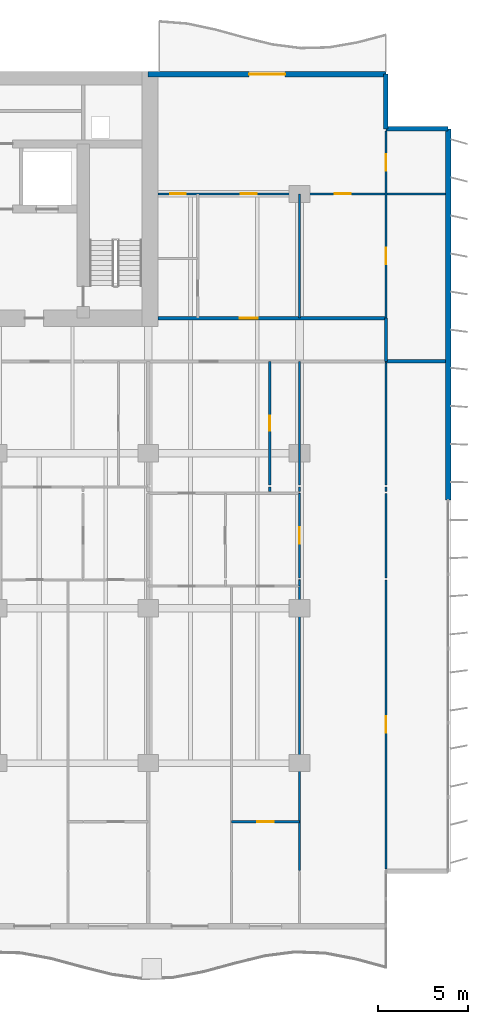
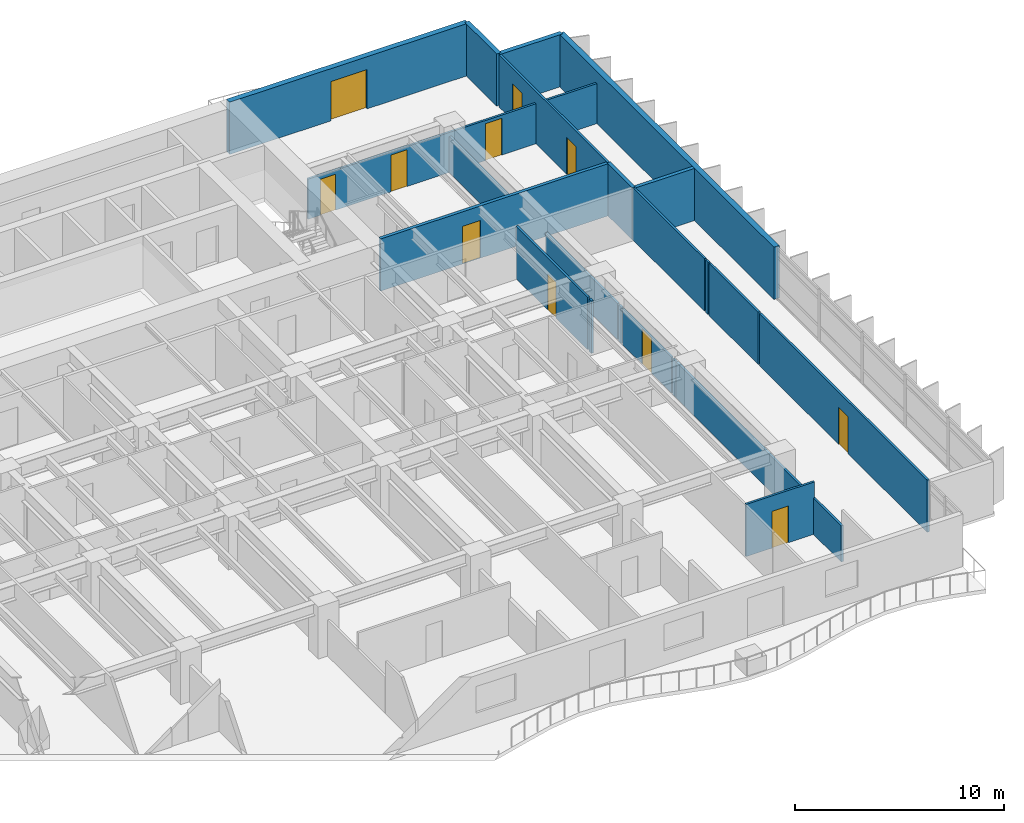
# One storey, part 12 of 17: 22 walls, 11 doors, 11 openings.
"""IFC4 building model written with IfcOpenShell, lengths in metres."""

from ifc_helpers import new_model, si_unit, direction, frame, frame_2d, origin, place, context, subcontext, project, spatial, rectangle, extrude, material, layer, layer_set, type_object, element, fill, save


model = new_model("IFC4")

# Units and contexts
model_context = context("Model", 3, precision=1e-05, world=origin(), true_north=direction((0.0, 1.0)))
body_context = subcontext(model_context, "Body", "Model", "MODEL_VIEW")
ifc_project = project(units=[si_unit("LENGTHUNIT", "METRE"), si_unit("AREAUNIT", "SQUARE_METRE"), si_unit("VOLUMEUNIT", "CUBIC_METRE"), si_unit("PLANEANGLEUNIT", "RADIAN"), si_unit("MASSUNIT", "GRAM", prefix="KILO")], contexts=[model_context])

# Site, building, storey
site_placement = place(None, origin())
site = spatial("IfcSite", under=ifc_project, at=site_placement, CompositionType="ELEMENT")
building_placement = place(site_placement, origin())
building = spatial("IfcBuilding", under=site, at=building_placement, Name="Caelmar Bay Residences", CompositionType="ELEMENT")
storey_placement = place(building_placement, frame((0.0, 0.0, 30.0)))
storey = spatial("IfcBuildingStorey", under=building, at=storey_placement, Name="L06", CompositionType="ELEMENT", Elevation=30.0)

# Wall
ifc_material_1 = material(Name="Double-stud acoustic fire-rated gypsum partition 180 mm")
ifc_layer_1 = layer(ifc_material_1, 0.179931640625)
ifc_layer_set_1 = layer_set([ifc_layer_1], Name="Double-stud acoustic fire-rated gypsum partition 180 mm")
wall_type_1 = type_object("IfcWallType", Name="W-COR-200", PredefinedType="PARTITIONING", material=ifc_layer_set_1)
wall_1_placement = place(storey_placement, frame((72.699951171875, 34.5048828125, 0.0), z_axis=(0.0, 0.0, 1.0), x_axis=(0.0, 1.0, 0.0)))
element("IfcWall", 1, at=wall_1_placement, inside=storey, type_object=wall_type_1, Name="L06 Partition Wall V098", PredefinedType="PARTITIONING", context=body_context, shape_type="SweptSolid", body=[
    extrude(rectangle(XDim=2.39501953125, YDim=0.179931640625, at=frame_2d((1.197509765625, 0.0))), origin(), (0.0, 0.0, 1.0), 3.050048828125),
])

# Wall, opening, door
wall_2_placement = place(storey_placement, frame((60.054931640625, 36.89990234375, 0.0), z_axis=(0.0, 0.0, 1.0), x_axis=(1.0, 0.0, 0.0)))
wall_2 = element("IfcWall", 2, at=wall_2_placement, inside=storey, type_object=wall_type_1, Name="L06 Partition Wall H128", PredefinedType="PARTITIONING", context=body_context, shape_type="SweptSolid", body=[
    extrude(rectangle(XDim=12.64501953125, YDim=0.179931640625, at=frame_2d((6.322509765625, 0.0))), origin(), (0.0, 0.0, 1.0), 3.050048828125),
])
opening_1_placement = place(wall_2_placement, frame((4.52001953125, 0.0, 0.0)))
opening_1 = element("IfcOpeningElement", 3, at=opening_1_placement, cuts=wall_2, Name="Opening D-L06-175", PredefinedType="OPENING", context=body_context, shape_type="SweptSolid", body=[
    extrude(rectangle(XDim=1.0, YDim=2.199951171875, at=frame_2d((0.5, 1.10009765625))), frame((0.0, 0.099853515625, 0.0), z_axis=(0.0, -1.0, 0.0), x_axis=(1.0, 0.0, 0.0)), (0.0, 0.0, 1.0), 0.199951171875),
])
ifc_material_2 = material(Name="Fire-rated steel and walnut architectural door assembly", Category="steel")
ifc_layer_2 = layer(ifc_material_2, 0.050048828125)
ifc_layer_set_2 = layer_set([ifc_layer_2], Name="Fire-rated steel and walnut architectural door assembly")
door_type_1 = type_object("IfcDoorType", Name="D-UNIT-1000", OperationType="NOTDEFINED", PredefinedType="DOOR", material=ifc_layer_set_2)
door_1_placement = place(opening_1_placement, origin())
door_1 = element("IfcDoor", 4, at=door_1_placement, inside=storey, type_object=door_type_1, Name="L06 Residence EA Kitchen Door", OperationType="SINGLE_SWING_LEFT", OverallHeight=2.199951171875, OverallWidth=1.0, PredefinedType="DOOR", context=body_context, shape_type="SweptSolid", body=[
    extrude(rectangle(XDim=1.0, YDim=2.199951171875, at=frame_2d((0.5, 1.10009765625))), frame((0.0, 0.02490234375, 0.0), z_axis=(0.0, -1.0, 0.0), x_axis=(1.0, 0.0, 0.0)), (0.0, 0.0, 1.0), 0.050048828125),
])
fill(opening_1, door_1)

# Walls
ifc_material_3 = material(Name="Precast concrete f'c 40 MPa (6,000 psi)", Category="concrete")
ifc_layer_3 = layer(ifc_material_3, 0.25)
ifc_layer_set_3 = layer_set([ifc_layer_3], Name="Precast concrete f'c 40 MPa (6,000 psi)")
wall_type_2 = type_object("IfcWallType", Name="W-EXT-250", PredefinedType="ELEMENTEDWALL", material=ifc_layer_set_3)
wall_3_placement = place(storey_placement, frame((72.699951171875, 50.449951171875, 0.0), z_axis=(0.0, 0.0, 1.0), x_axis=(0.0, -1.0, 0.0)))
element("IfcWall", 5, at=wall_3_placement, inside=storey, type_object=wall_type_2, Name="L06 NNE-V Notch Wall", PredefinedType="ELEMENTEDWALL", context=body_context, shape_type="SweptSolid", body=[
    extrude(rectangle(XDim=3.050048828125, YDim=0.25, at=frame_2d((1.52490234375, 0.0))), origin(), (0.0, 0.0, 1.0), 3.050048828125),
])
wall_4_placement = place(storey_placement, frame((72.699951171875, 47.39990234375, 0.0), z_axis=(0.0, 0.0, 1.0), x_axis=(1.0, 0.0, 0.0)))
element("IfcWall", 6, at=wall_4_placement, inside=storey, type_object=wall_type_2, Name="L06 NNE-H Notch Wall", PredefinedType="ELEMENTEDWALL", context=body_context, shape_type="SweptSolid", body=[
    extrude(rectangle(XDim=3.449951171875, YDim=0.25, at=frame_2d((1.72509765625, 0.0))), origin(), (0.0, 0.0, 1.0), 3.050048828125),
])
ifc_layer_4 = layer(ifc_material_3, 0.300048828125)
ifc_layer_set_4 = layer_set([ifc_layer_4], Name="Precast concrete f'c 40 MPa (6,000 psi)")
wall_type_3 = type_object("IfcWallType", Name="W-EXT-300", PredefinedType="STANDARD", material=ifc_layer_set_4)
wall_5_placement = place(storey_placement, frame((76.14990234375, 47.39990234375, 0.0), z_axis=(0.0, 0.0, 1.0), x_axis=(0.0, -1.0, 0.0)))
element("IfcWall", 7, at=wall_5_placement, inside=storey, type_object=wall_type_3, Name="L06 East Rear Exterior Wall", PredefinedType="STANDARD", context=body_context, shape_type="SweptSolid", body=[
    extrude(rectangle(XDim=20.599853515625, YDim=0.300048828125, at=frame_2d((10.2998046875, 0.0))), origin(), (0.0, 0.0, 1.0), 3.050048828125),
])

# Wall, opening, door
wall_6_placement = place(storey_placement, frame((59.5, 50.449951171875, 0.0), z_axis=(0.0, 0.0, 1.0), x_axis=(1.0, 0.0, 0.0)))
wall_6 = element("IfcWall", 8, at=wall_6_placement, inside=storey, type_object=wall_type_3, Name="L06 North-East Wing Exterior Wall", PredefinedType="STANDARD", context=body_context, shape_type="SweptSolid", body=[
    extrude(rectangle(XDim=13.199951171875, YDim=0.300048828125, at=frame_2d((6.60009765625, 0.0))), origin(), (0.0, 0.0, 1.0), 3.050048828125),
])
opening_2_placement = place(wall_6_placement, frame((5.60009765625, 0.0, 0.0)))
opening_2 = element("IfcOpeningElement", 9, at=opening_2_placement, cuts=wall_6, Name="Opening L06-BDNE", PredefinedType="OPENING", context=body_context, shape_type="SweptSolid", body=[
    extrude(rectangle(XDim=2.0, YDim=2.300048828125, at=frame_2d((1.0, 1.14990234375))), frame((0.0, 0.159912109375, 0.0), z_axis=(0.0, -1.0, 0.0), x_axis=(1.0, 0.0, 0.0)), (0.0, 0.0, 1.0), 0.320068359375),
])
ifc_material_4 = material(Name="Anodised bronze thermally broken sliding glass door", Category="glass")
ifc_layer_5 = layer(ifc_material_4, 0.050048828125)
ifc_layer_set_5 = layer_set([ifc_layer_5], Name="Anodised bronze thermally broken sliding glass door")
door_type_2 = type_object("IfcDoorType", Name="D-BAL-2000", OperationType="DOUBLE_DOOR_SLIDING", PredefinedType="DOOR", material=ifc_layer_set_5)
door_2_placement = place(opening_2_placement, origin())
door_2 = element("IfcDoor", 10, at=door_2_placement, inside=storey, type_object=door_type_2, Name="L06 North-East Balcony Door", OperationType="DOUBLE_DOOR_SLIDING", OverallHeight=2.300048828125, OverallWidth=2.0, PredefinedType="DOOR", context=body_context, shape_type="SweptSolid", body=[
    extrude(rectangle(XDim=2.0, YDim=2.300048828125, at=frame_2d((1.0, 1.14990234375))), frame((0.0, 0.02490234375, 0.0), z_axis=(0.0, -1.0, 0.0), x_axis=(1.0, 0.0, 0.0)), (0.0, 0.0, 1.0), 0.050048828125),
])
fill(opening_2, door_2)

# Wall
ifc_material_5 = material(Name="Anodised bronze framed acoustic sliding study partition 100 mm")
ifc_layer_6 = layer(ifc_material_5, 0.10009765625)
ifc_layer_set_6 = layer_set([ifc_layer_6], Name="Anodised bronze framed acoustic sliding study partition 100 mm")
wall_type_4 = type_object("IfcWallType", Name="W-MOV-100", PredefinedType="MOVABLE", material=ifc_layer_set_6)
wall_7_placement = place(storey_placement, frame((67.89990234375, 22.034912109375, 0.0), z_axis=(0.0, 0.0, 1.0), x_axis=(0.0, 1.0, 0.0)))
element("IfcWall", 11, at=wall_7_placement, inside=storey, type_object=wall_type_4, Name="L06 Partition Wall V089", PredefinedType="MOVABLE", context=body_context, shape_type="SweptSolid", body=[
    extrude(rectangle(XDim=0.335205078125, YDim=0.10009765625, at=frame_2d((0.16748046875, 0.0))), origin(), (0.0, 0.0, 1.0), 2.110107421875),
])

# Wall, opening, door
wall_8_placement = place(storey_placement, frame((67.89990234375, 22.489990234375, 0.0), z_axis=(0.0, 0.0, 1.0), x_axis=(0.0, 1.0, 0.0)))
wall_8 = element("IfcWall", 12, at=wall_8_placement, inside=storey, type_object=wall_type_4, Name="L06 Partition Wall V090", PredefinedType="MOVABLE", context=body_context, shape_type="SweptSolid", body=[
    extrude(rectangle(XDim=4.68994140625, YDim=0.10009765625, at=frame_2d((2.344970703125, 0.0))), origin(), (0.0, 0.0, 1.0), 2.110107421875),
])
opening_3_placement = place(wall_8_placement, frame((1.89501953125, 0.0, 0.0)))
opening_3 = element("IfcOpeningElement", 13, at=opening_3_placement, cuts=wall_8, Name="Opening D-L06-164", PredefinedType="OPENING", context=body_context, shape_type="SweptSolid", body=[
    extrude(rectangle(XDim=0.89990234375, YDim=2.06005859375, at=frame_2d((0.449951171875, 1.030029296875))), frame((0.0, 0.06005859375, 0.0), z_axis=(0.0, -1.0, 0.0), x_axis=(1.0, 0.0, 0.0)), (0.0, 0.0, 1.0), 0.1201171875),
])
ifc_material_6 = material(Name="Solid walnut timber interior door leaf and frame", Category="wood")
ifc_layer_7 = layer(ifc_material_6, 0.050048828125)
ifc_layer_set_7 = layer_set([ifc_layer_7], Name="Solid walnut timber interior door leaf and frame")
door_type_3 = type_object("IfcDoorType", Name="D-ROOM-900", OperationType="NOTDEFINED", PredefinedType="DOOR", material=ifc_layer_set_7)
door_3_placement = place(opening_3_placement, origin())
door_3 = element("IfcDoor", 14, at=door_3_placement, inside=storey, type_object=door_type_3, Name="L06 Residence 06 East Apartment Hall Door", OperationType="SINGLE_SWING_RIGHT", OverallHeight=2.06005859375, OverallWidth=0.89990234375, PredefinedType="DOOR", context=body_context, shape_type="SweptSolid", body=[
    extrude(rectangle(XDim=0.89990234375, YDim=2.06005859375, at=frame_2d((0.449951171875, 1.030029296875))), frame((0.0, 0.02490234375, 0.0), z_axis=(0.0, -1.0, 0.0), x_axis=(1.0, 0.0, 0.0)), (0.0, 0.0, 1.0), 0.050048828125),
])
fill(opening_3, door_3)

# Wall
ifc_material_7 = material(Name="Acoustic metal-stud gypsum partition 120 mm")
ifc_layer_8 = layer(ifc_material_7, 0.1201171875)
ifc_layer_set_8 = layer_set([ifc_layer_8], Name="Acoustic metal-stud gypsum partition 120 mm")
wall_type_5 = type_object("IfcWallType", Name="W-PRT-120", PredefinedType="PARTITIONING", material=ifc_layer_set_8)
wall_9_placement = place(storey_placement, frame((66.25, 27.280029296875, 0.0), z_axis=(0.0, 0.0, 1.0), x_axis=(0.0, 1.0, 0.0)))
element("IfcWall", 15, at=wall_9_placement, inside=storey, type_object=wall_type_5, Name="L06 Partition Wall V085", PredefinedType="PARTITIONING", context=body_context, shape_type="SweptSolid", body=[
    extrude(rectangle(XDim=0.239990234375, YDim=0.1201171875, at=frame_2d((0.1201171875, 0.0))), origin(), (0.0, 0.0, 1.0), 3.050048828125),
])

# Wall, opening, door
wall_10_placement = place(storey_placement, frame((66.25, 27.639892578125, 0.0), z_axis=(0.0, 0.0, 1.0), x_axis=(0.0, 1.0, 0.0)))
wall_10 = element("IfcWall", 16, at=wall_10_placement, inside=storey, type_object=wall_type_5, Name="L06 Partition Wall V086", PredefinedType="PARTITIONING", context=body_context, shape_type="SweptSolid", body=[
    extrude(rectangle(XDim=6.860107421875, YDim=0.1201171875, at=frame_2d((3.43017578125, 0.0))), origin(), (0.0, 0.0, 1.0), 3.050048828125),
])
opening_4_placement = place(wall_10_placement, frame((3.0048828125, 0.0, 0.0)))
opening_4 = element("IfcOpeningElement", 17, at=opening_4_placement, cuts=wall_10, Name="Opening D-L06-158", PredefinedType="OPENING", context=body_context, shape_type="SweptSolid", body=[
    extrude(rectangle(XDim=0.85009765625, YDim=2.10009765625, at=frame_2d((0.425048828125, 1.050048828125))), frame((0.0, 0.070068359375, 0.0), z_axis=(0.0, -1.0, 0.0), x_axis=(1.0, 0.0, 0.0)), (0.0, 0.0, 1.0), 0.14013671875),
])
ifc_layer_9 = layer(ifc_material_6, 0.050048828125)
ifc_layer_set_9 = layer_set([ifc_layer_9], Name="Solid walnut timber interior door leaf and frame")
door_type_4 = type_object("IfcDoorType", Name="D-BATH-850", OperationType="NOTDEFINED", PredefinedType="DOOR", material=ifc_layer_set_9)
door_4_placement = place(opening_4_placement, origin())
door_4 = element("IfcDoor", 18, at=door_4_placement, inside=storey, type_object=door_type_4, Name="L06 Residence 06 Bathroom Door", OperationType="SINGLE_SWING_RIGHT", OverallHeight=2.10009765625, OverallWidth=0.85009765625, PredefinedType="DOOR", context=body_context, shape_type="SweptSolid", body=[
    extrude(rectangle(XDim=0.85009765625, YDim=2.10009765625, at=frame_2d((0.425048828125, 1.050048828125))), frame((0.0, 0.02490234375, 0.0), z_axis=(0.0, -1.0, 0.0), x_axis=(1.0, 0.0, 0.0)), (0.0, 0.0, 1.0), 0.050048828125),
])
fill(opening_4, door_4)

# Walls
wall_11_placement = place(storey_placement, frame((67.89990234375, 6.239990234375, 0.0), z_axis=(0.0, 0.0, 1.0), x_axis=(0.0, 1.0, 0.0)))
element("IfcWall", 19, at=wall_11_placement, inside=storey, type_object=wall_type_5, Name="L06 Partition Wall V088", PredefinedType="PARTITIONING", context=body_context, shape_type="SweptSolid", body=[
    extrude(rectangle(XDim=15.7900390625, YDim=0.1201171875, at=frame_2d((7.89501953125, 0.0))), origin(), (0.0, 0.0, 1.0), 2.110107421875),
])
wall_12_placement = place(storey_placement, frame((67.89990234375, 27.280029296875, 0.0), z_axis=(0.0, 0.0, 1.0), x_axis=(0.0, 1.0, 0.0)))
element("IfcWall", 20, at=wall_12_placement, inside=storey, type_object=wall_type_5, Name="L06 Partition Wall V091", PredefinedType="PARTITIONING", context=body_context, shape_type="SweptSolid", body=[
    extrude(rectangle(XDim=0.239990234375, YDim=0.1201171875, at=frame_2d((0.1201171875, 0.0))), origin(), (0.0, 0.0, 1.0), 2.110107421875),
])
wall_13_placement = place(storey_placement, frame((67.89990234375, 27.639892578125, 0.0), z_axis=(0.0, 0.0, 1.0), x_axis=(0.0, 1.0, 0.0)))
element("IfcWall", 21, at=wall_13_placement, inside=storey, type_object=wall_type_5, Name="L06 Partition Wall V092", PredefinedType="PARTITIONING", context=body_context, shape_type="SweptSolid", body=[
    extrude(rectangle(XDim=6.860107421875, YDim=0.1201171875, at=frame_2d((3.43017578125, 0.0))), origin(), (0.0, 0.0, 1.0), 2.110107421875),
])
wall_14_placement = place(storey_placement, frame((67.89990234375, 36.89990234375, 0.0), z_axis=(0.0, 0.0, 1.0), x_axis=(0.0, 1.0, 0.0)))
element("IfcWall", 22, at=wall_14_placement, inside=storey, type_object=wall_type_5, Name="L06 Partition Wall V093", PredefinedType="PARTITIONING", context=body_context, shape_type="SweptSolid", body=[
    extrude(rectangle(XDim=6.900146484375, YDim=0.1201171875, at=frame_2d((3.4501953125, 0.0))), origin(), (0.0, 0.0, 1.0), 2.110107421875),
])

# Wall, opening, door
wall_15_placement = place(storey_placement, frame((72.699951171875, 6.320068359375, 0.0), z_axis=(0.0, 0.0, 1.0), x_axis=(0.0, 1.0, 0.0)))
wall_15 = element("IfcWall", 23, at=wall_15_placement, inside=storey, type_object=wall_type_5, Name="L06 Partition Wall V094", PredefinedType="PARTITIONING", context=body_context, shape_type="SweptSolid", body=[
    extrude(rectangle(XDim=16.050048828125, YDim=0.1201171875, at=frame_2d((8.02490234375, 0.0))), origin(), (0.0, 0.0, 1.0), 3.050048828125),
])
opening_5_placement = place(wall_15_placement, frame((7.574951171875, 0.0, 0.0)))
opening_5 = element("IfcOpeningElement", 24, at=opening_5_placement, cuts=wall_15, Name="Opening D-L06-166", PredefinedType="OPENING", context=body_context, shape_type="SweptSolid", body=[
    extrude(rectangle(XDim=0.89990234375, YDim=2.14990234375, at=frame_2d((0.449951171875, 1.074951171875))), frame((0.0, 0.070068359375, 0.0), z_axis=(0.0, -1.0, 0.0), x_axis=(1.0, 0.0, 0.0)), (0.0, 0.0, 1.0), 0.14013671875),
])
door_5_placement = place(opening_5_placement, origin())
door_5 = element("IfcDoor", 25, at=door_5_placement, inside=storey, type_object=door_type_3, Name="L06 Residence 06 Penthouse East Salon Door", OperationType="SINGLE_SWING_RIGHT", OverallHeight=2.14990234375, OverallWidth=0.89990234375, PredefinedType="DOOR", context=body_context, shape_type="SweptSolid", body=[
    extrude(rectangle(XDim=0.89990234375, YDim=2.14990234375, at=frame_2d((0.449951171875, 1.074951171875))), frame((0.0, 0.02490234375, 0.0), z_axis=(0.0, -1.0, 0.0), x_axis=(1.0, 0.0, 0.0)), (0.0, 0.0, 1.0), 0.050048828125),
])
fill(opening_5, door_5)

# Walls
wall_16_placement = place(storey_placement, frame((72.699951171875, 22.489990234375, 0.0), z_axis=(0.0, 0.0, 1.0), x_axis=(0.0, 1.0, 0.0)))
element("IfcWall", 26, at=wall_16_placement, inside=storey, type_object=wall_type_5, Name="L06 Partition Wall V095", PredefinedType="PARTITIONING", context=body_context, shape_type="SweptSolid", body=[
    extrude(rectangle(XDim=4.68994140625, YDim=0.1201171875, at=frame_2d((2.344970703125, 0.0))), origin(), (0.0, 0.0, 1.0), 3.050048828125),
])
wall_17_placement = place(storey_placement, frame((72.699951171875, 27.280029296875, 0.0), z_axis=(0.0, 0.0, 1.0), x_axis=(0.0, 1.0, 0.0)))
element("IfcWall", 27, at=wall_17_placement, inside=storey, type_object=wall_type_5, Name="L06 Partition Wall V096", PredefinedType="PARTITIONING", context=body_context, shape_type="SweptSolid", body=[
    extrude(rectangle(XDim=0.239990234375, YDim=0.1201171875, at=frame_2d((0.1201171875, 0.0))), origin(), (0.0, 0.0, 1.0), 3.050048828125),
])
wall_18_placement = place(storey_placement, frame((72.699951171875, 27.639892578125, 0.0), z_axis=(0.0, 0.0, 1.0), x_axis=(0.0, 1.0, 0.0)))
element("IfcWall", 28, at=wall_18_placement, inside=storey, type_object=wall_type_5, Name="L06 Partition Wall V097", PredefinedType="PARTITIONING", context=body_context, shape_type="SweptSolid", body=[
    extrude(rectangle(XDim=6.860107421875, YDim=0.1201171875, at=frame_2d((3.43017578125, 0.0))), origin(), (0.0, 0.0, 1.0), 3.050048828125),
])

# Wall, openings, doors
wall_19_placement = place(storey_placement, frame((72.699951171875, 36.905029296875, 0.0), z_axis=(0.0, 0.0, 1.0), x_axis=(0.0, 1.0, 0.0)))
wall_19 = element("IfcWall", 29, at=wall_19_placement, inside=storey, type_object=wall_type_5, Name="L06 Partition Wall V099", PredefinedType="PARTITIONING", context=body_context, shape_type="SweptSolid", body=[
    extrude(rectangle(XDim=10.375, YDim=0.1201171875, at=frame_2d((5.1875, 0.0))), origin(), (0.0, 0.0, 1.0), 3.050048828125),
])
opening_6_placement = place(wall_19_placement, frame((2.99755859375, 0.0, 0.0)))
opening_6 = element("IfcOpeningElement", 30, at=opening_6_placement, cuts=wall_19, Name="Opening D-L06-179", PredefinedType="OPENING", context=body_context, shape_type="SweptSolid", body=[
    extrude(rectangle(XDim=0.89990234375, YDim=2.14990234375, at=frame_2d((0.449951171875, 1.074951171875))), frame((0.0, 0.070068359375, 0.0), z_axis=(0.0, -1.0, 0.0), x_axis=(1.0, 0.0, 0.0)), (0.0, 0.0, 1.0), 0.14013671875),
])
opening_7_placement = place(wall_19_placement, frame((8.18505859375, 0.0, 0.0)))
opening_7 = element("IfcOpeningElement", 31, at=opening_7_placement, cuts=wall_19, Name="Opening D-L06-180", PredefinedType="OPENING", context=body_context, shape_type="SweptSolid", body=[
    extrude(rectangle(XDim=0.89990234375, YDim=2.14990234375, at=frame_2d((0.449951171875, 1.074951171875))), frame((0.0, 0.070068359375, 0.0), z_axis=(0.0, -1.0, 0.0), x_axis=(1.0, 0.0, 0.0)), (0.0, 0.0, 1.0), 0.14013671875),
])
door_6_placement = place(opening_6_placement, origin())
door_6 = element("IfcDoor", 32, at=door_6_placement, inside=storey, type_object=door_type_3, Name="L06 Residence EA Sun Study Door", OperationType="SINGLE_SWING_LEFT", OverallHeight=2.14990234375, OverallWidth=0.89990234375, PredefinedType="DOOR", context=body_context, shape_type="SweptSolid", body=[
    extrude(rectangle(XDim=0.89990234375, YDim=2.14990234375, at=frame_2d((0.449951171875, 1.074951171875))), frame((0.0, 0.02490234375, 0.0), z_axis=(0.0, -1.0, 0.0), x_axis=(1.0, 0.0, 0.0)), (0.0, 0.0, 1.0), 0.050048828125),
])
fill(opening_6, door_6)
door_7_placement = place(opening_7_placement, origin())
door_7 = element("IfcDoor", 33, at=door_7_placement, inside=storey, type_object=door_type_3, Name="L06 Residence EA North Sitting Alcove Door", OperationType="SINGLE_SWING_RIGHT", OverallHeight=2.14990234375, OverallWidth=0.89990234375, PredefinedType="DOOR", context=body_context, shape_type="SweptSolid", body=[
    extrude(rectangle(XDim=0.89990234375, YDim=2.14990234375, at=frame_2d((0.449951171875, 1.074951171875))), frame((0.0, 0.02490234375, 0.0), z_axis=(0.0, -1.0, 0.0), x_axis=(1.0, 0.0, 0.0)), (0.0, 0.0, 1.0), 0.050048828125),
])
fill(opening_7, door_7)

# Wall, opening, door
wall_20_placement = place(storey_placement, frame((64.1201171875, 8.949951171875, 0.0), z_axis=(0.0, 0.0, 1.0), x_axis=(1.0, 0.0, 0.0)))
wall_20 = element("IfcWall", 34, at=wall_20_placement, inside=storey, type_object=wall_type_5, Name="L06 Partition Wall H106", PredefinedType="PARTITIONING", context=body_context, shape_type="SweptSolid", body=[
    extrude(rectangle(XDim=3.77978515625, YDim=0.1201171875, at=frame_2d((1.889892578125, 0.0))), origin(), (0.0, 0.0, 1.0), 3.050048828125),
])
opening_8_placement = place(wall_20_placement, frame((1.43994140625, 0.0, 0.0)))
opening_8 = element("IfcOpeningElement", 35, at=opening_8_placement, cuts=wall_20, Name="Opening D-L06-163", PredefinedType="OPENING", context=body_context, shape_type="SweptSolid", body=[
    extrude(rectangle(XDim=0.89990234375, YDim=2.14990234375, at=frame_2d((0.449951171875, 1.074951171875))), frame((0.0, 0.070068359375, 0.0), z_axis=(0.0, -1.0, 0.0), x_axis=(1.0, 0.0, 0.0)), (0.0, 0.0, 1.0), 0.14013671875),
])
door_8_placement = place(opening_8_placement, origin())
door_8 = element("IfcDoor", 36, at=door_8_placement, inside=storey, type_object=door_type_3, Name="L06 Residence 06 Primary Bedroom Door", OperationType="SINGLE_SWING_LEFT", OverallHeight=2.14990234375, OverallWidth=0.89990234375, PredefinedType="DOOR", context=body_context, shape_type="SweptSolid", body=[
    extrude(rectangle(XDim=0.89990234375, YDim=2.14990234375, at=frame_2d((0.449951171875, 1.074951171875))), frame((0.0, 0.02490234375, 0.0), z_axis=(0.0, -1.0, 0.0), x_axis=(1.0, 0.0, 0.0)), (0.0, 0.0, 1.0), 0.050048828125),
])
fill(opening_8, door_8)

# Wall, openings, doors
wall_21_placement = place(storey_placement, frame((60.044921875, 43.800048828125, 0.0), z_axis=(0.0, 0.0, 1.0), x_axis=(1.0, 0.0, 0.0)))
wall_21 = element("IfcWall", 37, at=wall_21_placement, inside=storey, type_object=wall_type_5, Name="L06 Partition Wall H132", PredefinedType="PARTITIONING", context=body_context, shape_type="SweptSolid", body=[
    extrude(rectangle(XDim=15.9599609375, YDim=0.1201171875, at=frame_2d((7.97998046875, 0.0))), origin(), (0.0, 0.0, 1.0), 2.339111328125),
])
opening_9_placement = place(wall_21_placement, frame((9.804931640625, 0.0, 0.0)))
opening_9 = element("IfcOpeningElement", 38, at=opening_9_placement, cuts=wall_21, Name="Opening D-L06-174", PredefinedType="OPENING", context=body_context, shape_type="SweptSolid", body=[
    extrude(rectangle(XDim=0.89990234375, YDim=2.14990234375, at=frame_2d((0.449951171875, 1.074951171875))), frame((0.0, 0.070068359375, 0.0), z_axis=(0.0, -1.0, 0.0), x_axis=(1.0, 0.0, 0.0)), (0.0, 0.0, 1.0), 0.14013671875),
])
opening_10_placement = place(wall_21_placement, frame((4.580078125, 0.0, 0.0)))
opening_10 = element("IfcOpeningElement", 39, at=opening_10_placement, cuts=wall_21, Name="Opening D-L06-176", PredefinedType="OPENING", context=body_context, shape_type="SweptSolid", body=[
    extrude(rectangle(XDim=0.89990234375, YDim=2.14990234375, at=frame_2d((0.449951171875, 1.074951171875))), frame((0.0, 0.070068359375, 0.0), z_axis=(0.0, -1.0, 0.0), x_axis=(1.0, 0.0, 0.0)), (0.0, 0.0, 1.0), 0.14013671875),
])
opening_11_placement = place(wall_21_placement, frame((0.677490234375, 0.0, 0.0)))
opening_11 = element("IfcOpeningElement", 40, at=opening_11_placement, cuts=wall_21, Name="Opening D-L06-178", PredefinedType="OPENING", context=body_context, shape_type="SweptSolid", body=[
    extrude(rectangle(XDim=0.85009765625, YDim=2.10009765625, at=frame_2d((0.425048828125, 1.050048828125))), frame((0.0, 0.070068359375, 0.0), z_axis=(0.0, -1.0, 0.0), x_axis=(1.0, 0.0, 0.0)), (0.0, 0.0, 1.0), 0.14013671875),
])
door_9_placement = place(opening_11_placement, origin())
door_9 = element("IfcDoor", 41, at=door_9_placement, inside=storey, type_object=door_type_4, Name="L06 Residence EA Bathroom Door", OperationType="SINGLE_SWING_RIGHT", OverallHeight=2.10009765625, OverallWidth=0.85009765625, PredefinedType="DOOR", context=body_context, shape_type="SweptSolid", body=[
    extrude(rectangle(XDim=0.85009765625, YDim=2.10009765625, at=frame_2d((0.425048828125, 1.050048828125))), frame((0.0, 0.02490234375, 0.0), z_axis=(0.0, -1.0, 0.0), x_axis=(1.0, 0.0, 0.0)), (0.0, 0.0, 1.0), 0.050048828125),
])
fill(opening_11, door_9)
door_10_placement = place(opening_9_placement, origin())
door_10 = element("IfcDoor", 42, at=door_10_placement, inside=storey, type_object=door_type_3, Name="L06 Residence EA Study Door", OperationType="SINGLE_SWING_RIGHT", OverallHeight=2.14990234375, OverallWidth=0.89990234375, PredefinedType="DOOR", context=body_context, shape_type="SweptSolid", body=[
    extrude(rectangle(XDim=0.89990234375, YDim=2.14990234375, at=frame_2d((0.449951171875, 1.074951171875))), frame((0.0, 0.02490234375, 0.0), z_axis=(0.0, -1.0, 0.0), x_axis=(1.0, 0.0, 0.0)), (0.0, 0.0, 1.0), 0.050048828125),
])
fill(opening_9, door_10)
door_11_placement = place(opening_10_placement, origin())
door_11 = element("IfcDoor", 43, at=door_11_placement, inside=storey, type_object=door_type_3, Name="L06 Residence EA Studio Living and Sleeping Room Door", OperationType="SINGLE_SWING_RIGHT", OverallHeight=2.14990234375, OverallWidth=0.89990234375, PredefinedType="DOOR", context=body_context, shape_type="SweptSolid", body=[
    extrude(rectangle(XDim=0.89990234375, YDim=2.14990234375, at=frame_2d((0.449951171875, 1.074951171875))), frame((0.0, 0.02490234375, 0.0), z_axis=(0.0, -1.0, 0.0), x_axis=(1.0, 0.0, 0.0)), (0.0, 0.0, 1.0), 0.050048828125),
])
fill(opening_10, door_11)

# Wall
ifc_material_8 = material(Name="Acoustic twin-stud fire-rated inter-tenancy partition 200 mm")
ifc_layer_10 = layer(ifc_material_8, 0.199951171875)
ifc_layer_set_10 = layer_set([ifc_layer_10], Name="Acoustic twin-stud fire-rated inter-tenancy partition 200 mm")
wall_type_6 = type_object("IfcWallType", Name="W-PTY-200", PredefinedType="PARTITIONING", material=ifc_layer_set_10)
wall_22_placement = place(storey_placement, frame((72.705078125, 34.5, 0.0), z_axis=(0.0, 0.0, 1.0), x_axis=(1.0, 0.0, 0.0)))
element("IfcWall", 44, at=wall_22_placement, inside=storey, type_object=wall_type_6, Name="L06 Partition Wall H126", PredefinedType="PARTITIONING", context=body_context, shape_type="SweptSolid", body=[
    extrude(rectangle(XDim=3.2998046875, YDim=0.199951171875, at=frame_2d((1.64990234375, 0.0))), origin(), (0.0, 0.0, 1.0), 3.050048828125),
])

save(model, "model.ifc")
